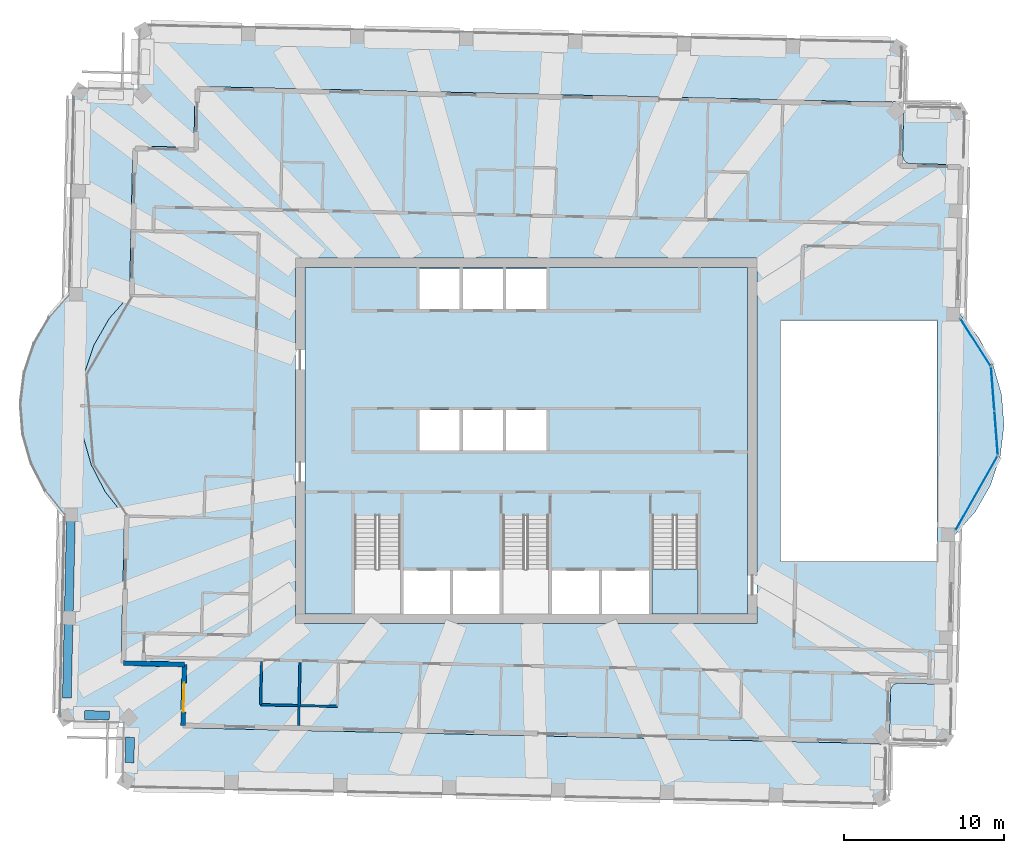
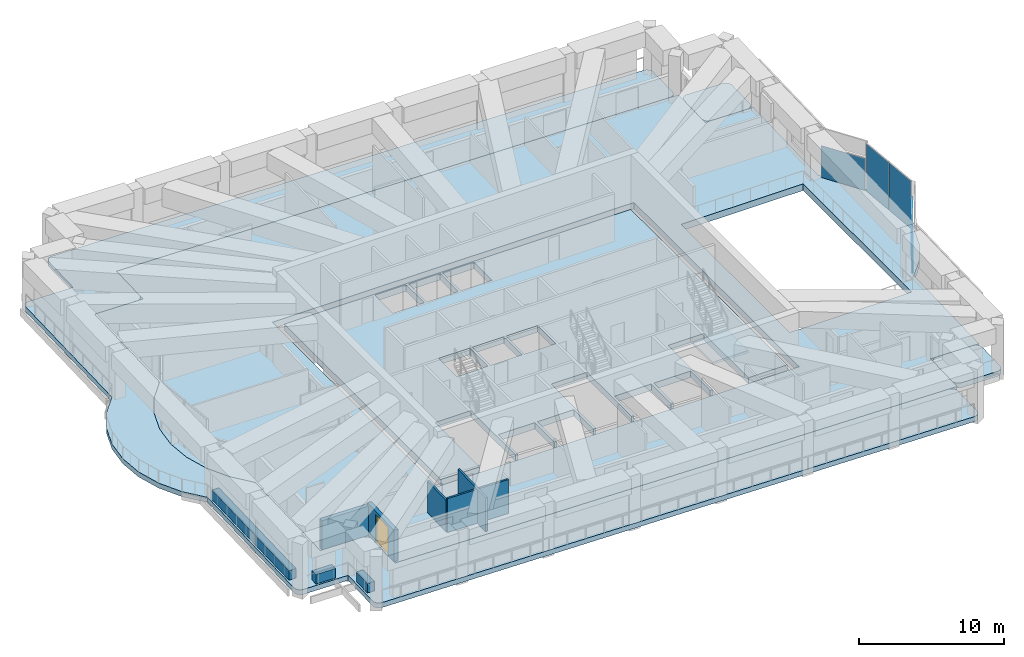
# One storey, part 6 of 17: 8 walls, 6 slabs, 4 plates, 1 door, 1 opening, 4 elements without a shape of their own.
"""IFC4 building model written with IfcOpenShell, lengths in metres."""

import ifcopenshell
import ifcopenshell.guid

model = None  # the IFC model being written
_history = None  # IfcOwnerHistory: only IFC2X3 demands one
_inside = {}  # id of a spatial element -> (the spatial element, [elements in it])
_under = {}  # id of a project, library or spatial element -> (it, [spatial elements below it])
_declared = {}  # id of a project -> (the project, [libraries it declares])
_typed = {}  # id of a type object -> (the type object, [elements of that type])
_made_of = {}  # id of a material, layer set ... -> (it, [elements and type objects made of it])


def new_model(schema):
    """Start an empty IFC model of exactly this schema.

    Asked for "IFC4X3", IfcOpenShell would pick the latest addendum, in which some entities
    have other attributes; the version numbers below select the first issue.
    IFC2X3 requires an IfcOwnerHistory on every rooted entity: one is made here for all.
    """
    global model, _history
    if schema == "IFC4X3":
        model = ifcopenshell.file(schema_version=(4, 3, 0, 0))
    else:
        model = ifcopenshell.file(schema=schema)
    _inside.clear()
    _under.clear()
    _declared.clear()
    _typed.clear()
    _made_of.clear()
    _history = None
    if model.schema == "IFC2X3":
        org = make("IfcOrganization", Name="unknown")
        user = make(
            "IfcPersonAndOrganization",
            ThePerson=make("IfcPerson", FamilyName="unknown"),
            TheOrganization=org,
        )
        app = make(
            "IfcApplication",
            ApplicationDeveloper=org,
            Version="unknown",
            ApplicationFullName="unknown",
            ApplicationIdentifier="unknown",
        )
        _history = make(
            "IfcOwnerHistory",
            OwningUser=user,
            OwningApplication=app,
            ChangeAction="ADDED",
            CreationDate=0,
        )
    return model


def make(cls, **values):
    """One entity of the class cls with the attributes given. An attribute that is None is left unset."""
    return model.create_entity(
        cls, **{name: value for name, value in values.items() if value is not None}
    )


def rooted(cls, **values):
    """An entity with a GlobalId (a new one), such as an element, a storey or a relation."""
    return make(cls, GlobalId=ifcopenshell.guid.new(), OwnerHistory=_history, **values)


def si_unit(unit_type, name, prefix=None):
    """IfcSIUnit, for example si_unit("LENGTHUNIT", "METRE", prefix="MILLI")."""
    return make("IfcSIUnit", UnitType=unit_type, Prefix=prefix, Name=name)


def assignment(units):
    """IfcUnitAssignment: the units of a project."""
    return None if units is None else make("IfcUnitAssignment", Units=units)


def point(xyz):
    """IfcCartesianPoint."""
    return None if xyz is None else make("IfcCartesianPoint", Coordinates=xyz)


def direction(xyz):
    """IfcDirection."""
    return None if xyz is None else make("IfcDirection", DirectionRatios=xyz)


def frame(location, z_axis=None, x_axis=None):
    """IfcAxis2Placement3D, a coordinate frame: its origin and axes. An axis left out is left unset."""
    return make(
        "IfcAxis2Placement3D",
        Location=point(location),
        Axis=direction(z_axis),
        RefDirection=direction(x_axis),
    )


def frame_2d(location, x_axis=None):
    """IfcAxis2Placement2D, a coordinate frame in the plane: its origin and x axis."""
    return make(
        "IfcAxis2Placement2D", Location=point(location), RefDirection=direction(x_axis)
    )


def origin():
    """The frame at (0, 0, 0) with its axes left unset."""
    return frame((0.0, 0.0, 0.0))


def origin_2d():
    """The frame at (0, 0) in the plane with its x axis left unset."""
    return frame_2d((0.0, 0.0))


def place(relative_to, where):
    """IfcLocalPlacement: puts the frame where relative to a parent placement (None: the world)."""
    return make(
        "IfcLocalPlacement", PlacementRelTo=relative_to, RelativePlacement=where
    )


def context(
    kind, dimensions, precision=None, world=None, true_north=None, identifier=None
):
    """IfcGeometricRepresentationContext, for example the 3D "Model" context."""
    return make(
        "IfcGeometricRepresentationContext",
        ContextIdentifier=identifier,
        ContextType=kind,
        CoordinateSpaceDimension=dimensions,
        Precision=precision,
        WorldCoordinateSystem=world,
        TrueNorth=true_north,
    )


def subcontext(parent, identifier, kind, view, scale=None):
    """IfcGeometricRepresentationSubContext, for example "Body" below "Model"."""
    return make(
        "IfcGeometricRepresentationSubContext",
        ContextIdentifier=identifier,
        ContextType=kind,
        ParentContext=parent,
        TargetScale=scale,
        TargetView=view,
    )


def project(units=None, contexts=None):
    """IfcProject with its units and contexts."""
    return rooted(
        "IfcProject",
        Name="project",
        RepresentationContexts=contexts,
        UnitsInContext=assignment(units),
    )


def spatial(cls, under=None, at=None, **own):
    """A site, building, storey or space (cls), placed at a placement, below another one or the project."""
    s = rooted(cls, ObjectPlacement=at, **own)
    if under is not None:
        _under.setdefault(under.id(), (under, []))[1].append(s)
    return s


def polyline(points):
    """IfcPolyline through the points."""
    return make("IfcPolyline", Points=[point(p) for p in points])


def profile(cls, at=None, kind="AREA", **sizes):
    """A parametric profile (cls). Its sizes go by their IFC names, for example OverallWidth=200.0."""
    return make(cls, ProfileType=kind, Position=at, **sizes)


def rectangle(**sizes):
    """IfcRectangleProfileDef."""
    return profile("IfcRectangleProfileDef", **sizes)


def outline(outer, holes=None, kind="AREA"):
    """IfcArbitraryClosedProfileDef: a profile drawn as a closed curve; with holes, ...WithVoids."""
    if holes is None:
        return make("IfcArbitraryClosedProfileDef", ProfileType=kind, OuterCurve=outer)
    return make(
        "IfcArbitraryProfileDefWithVoids",
        ProfileType=kind,
        OuterCurve=outer,
        InnerCurves=holes,
    )


def extrude(swept, where, along, depth):
    """IfcExtrudedAreaSolid: the profile swept, set in the frame where, extruded along a direction by depth."""
    return make(
        "IfcExtrudedAreaSolid",
        SweptArea=swept,
        Position=where,
        ExtrudedDirection=direction(along),
        Depth=depth,
    )


def shape(context_of_items, identifier, shape_type, items):
    """IfcShapeRepresentation: the items that make up one representation, for example the "Body"."""
    return make(
        "IfcShapeRepresentation",
        ContextOfItems=context_of_items,
        RepresentationIdentifier=identifier,
        RepresentationType=shape_type,
        Items=items,
    )


def material(Name=None, Category=None):
    """IfcMaterial."""
    return make("IfcMaterial", Name=Name, Category=Category)


def layer(
    of_material, thickness, ventilated=None, Name=None, Category=None, Priority=None
):
    """IfcMaterialLayer: one layer of a wall or slab, of a material (None: an air gap)."""
    return make(
        "IfcMaterialLayer",
        Material=of_material,
        LayerThickness=thickness,
        IsVentilated=ventilated,
        Name=Name,
        Category=Category,
        Priority=Priority,
    )


def layer_set(layers, Name=None):
    """IfcMaterialLayerSet."""
    return make("IfcMaterialLayerSet", MaterialLayers=layers, LayerSetName=Name)


def made_of(thing, what):
    """Note that an element or type object is made of a material, layer set ...; save() writes the relation."""
    if what is not None:
        _made_of.setdefault(what.id(), (what, []))[1].append(thing)
    return thing


def type_object(cls, material=None, **own):
    """A type object (cls), such as IfcWallType, which elements share."""
    return made_of(rooted(cls, **own), material)


def element(
    cls,
    number,
    at=None,
    inside=None,
    cuts=None,
    type_object=None,
    material=None,
    context=None,
    identifier="Body",
    shape_type=None,
    held_by="IfcProductDefinitionShape",
    body=None,
    shapes=None,
    **own,
):
    """One element of the class cls, such as IfcWall. Its Tag is "e" and its number.

    at: its placement. inside: the storey or other place that contains it. cuts: it is an
    opening in that element (IfcRelVoidsElement). A single representation is given by context,
    identifier, shape_type and body (its items); several are given by shapes. held_by: the class
    of the entity that holds the representations. save() writes the other relations.
    """
    e = rooted(cls, Tag="e%d" % number, ObjectPlacement=at, **own)
    if body is not None:
        shapes = [shape(context, identifier, shape_type, body)]
    if shapes is not None:
        e.Representation = make(held_by, Representations=shapes)
    if inside is not None:
        _inside.setdefault(inside.id(), (inside, []))[1].append(e)
    if cuts is not None:
        rooted(
            "IfcRelVoidsElement", RelatingBuildingElement=cuts, RelatedOpeningElement=e
        )
    if type_object is not None:
        _typed.setdefault(type_object.id(), (type_object, []))[1].append(e)
    return made_of(e, material)


def fill(opening, filler):
    """IfcRelFillsElement: the door or window that sits in an opening."""
    return rooted(
        "IfcRelFillsElement",
        RelatingOpeningElement=opening,
        RelatedBuildingElement=filler,
    )


def aggregate(whole, parts):
    """IfcRelAggregates: a whole, such as a stair, and the parts it consists of."""
    return rooted("IfcRelAggregates", RelatingObject=whole, RelatedObjects=parts)


def save(model, path):
    """Write the relations noted so far, then the file.

    IfcRelAggregates (storeys below a building ...), IfcRelContainedInSpatialStructure (elements
    in a storey), IfcRelDefinesByType, IfcRelAssociatesMaterial and IfcRelDeclares: one each for
    every whole, place, type object, material and project.
    """
    for whole, parts in _under.values():
        aggregate(whole, parts)
    for where, things in _inside.values():
        rooted(
            "IfcRelContainedInSpatialStructure",
            RelatedElements=things,
            RelatingStructure=where,
        )
    for kind, things in _typed.values():
        rooted("IfcRelDefinesByType", RelatedObjects=things, RelatingType=kind)
    for what, things in _made_of.values():
        rooted("IfcRelAssociatesMaterial", RelatedObjects=things, RelatingMaterial=what)
    for by, libraries in _declared.values():
        rooted("IfcRelDeclares", RelatingContext=by, RelatedDefinitions=libraries)
    model.write(path)


model = new_model("IFC4")

# Units and contexts
model_context = context("Model", 3, precision=1e-05, world=origin(), true_north=direction((0.0, 1.0)))
body_context = subcontext(model_context, "Body", "Model", "MODEL_VIEW")
ifc_project = project(units=[si_unit("LENGTHUNIT", "METRE"), si_unit("AREAUNIT", "SQUARE_METRE"), si_unit("VOLUMEUNIT", "CUBIC_METRE"), si_unit("PLANEANGLEUNIT", "RADIAN"), si_unit("MASSUNIT", "GRAM", prefix="KILO")], contexts=[model_context])

# Site, building, storey
site_placement = place(None, origin())
site = spatial("IfcSite", under=ifc_project, at=site_placement, CompositionType="ELEMENT")
building_placement = place(site_placement, origin())
building = spatial("IfcBuilding", under=site, at=building_placement, Name="Mangrove Gate Tower", CompositionType="ELEMENT")
storey_placement = place(building_placement, frame((0.0, 0.0, 337.89990234375)))
storey = spatial("IfcBuildingStorey", under=building, at=storey_placement, Name="L86", CompositionType="ELEMENT", Elevation=337.89990234375)

# Slab
ifc_material_1 = material(Name="Concrete C40/50", Category="concrete")
ifc_layer_1 = layer(ifc_material_1, 0.550048828125)
ifc_layer_set_1 = layer_set([ifc_layer_1], Name="Core floor slab 550 C40/50")
slab_type_1 = type_object("IfcSlabType", Name="Core floor slab 550 C40/50", PredefinedType="FLOOR", material=ifc_layer_set_1)
slab_1_placement = place(storey_placement, frame((0.0, 0.0, -0.5498046875)))
element("IfcSlab", 1, at=slab_1_placement, inside=storey, type_object=slab_type_1, Name="SLAB-L86-CORE-1", PredefinedType="FLOOR", context=body_context, shape_type="SweptSolid", body=[
    extrude(outline(polyline([(-13.800048828125, -10.800048828125), (-13.800048828125, 10.800048828125), (13.800048828125, 10.800048828125), (13.800048828125, -10.800048828125), (10.699951171875, -10.800048828125), (10.699951171875, -4.653076171875), (7.85009765625, -4.653076171875), (7.85009765625, -10.800048828125), (7.64990234375, -10.800048828125), (7.64990234375, -8.10009765625), (4.72509765625, -8.10009765625), (4.72509765625, -10.800048828125), (4.52490234375, -10.800048828125), (4.52490234375, -8.10009765625), (1.60009765625, -8.10009765625), (1.60009765625, -10.800048828125), (1.39990234375, -10.800048828125), (1.39990234375, -4.653076171875), (-1.449951171875, -4.653076171875), (-1.449951171875, -10.800048828125), (-1.64990234375, -10.800048828125), (-1.64990234375, -8.10009765625), (-4.550048828125, -8.10009765625), (-4.550048828125, -10.800048828125), (-4.75, -10.800048828125), (-4.75, -8.10009765625), (-7.64990234375, -8.10009765625), (-7.64990234375, -10.800048828125), (-7.85009765625, -10.800048828125), (-7.85009765625, -4.653076171875), (-10.699951171875, -4.653076171875), (-10.699951171875, -10.800048828125), (-13.800048828125, -10.800048828125)]), holes=[polyline([(-4.14990234375, 1.89990234375), (-6.64990234375, 1.89990234375), (-6.64990234375, -0.60009765625), (-4.14990234375, -0.60009765625), (-4.14990234375, 1.89990234375)]), polyline([(-1.449951171875, -0.60009765625), (-1.449951171875, 1.89990234375), (-3.949951171875, 1.89990234375), (-3.949951171875, -0.60009765625), (-1.449951171875, -0.60009765625)]), polyline([(-4.14990234375, 8.199951171875), (-4.14990234375, 10.699951171875), (-6.64990234375, 10.699951171875), (-6.64990234375, 8.199951171875), (-4.14990234375, 8.199951171875)]), polyline([(-1.449951171875, 10.699951171875), (-3.949951171875, 10.699951171875), (-3.949951171875, 8.199951171875), (-1.449951171875, 8.199951171875), (-1.449951171875, 10.699951171875)]), polyline([(1.25, -0.60009765625), (1.25, 1.89990234375), (-1.25, 1.89990234375), (-1.25, -0.60009765625), (1.25, -0.60009765625)]), polyline([(1.25, 8.199951171875), (1.25, 10.699951171875), (-1.25, 10.699951171875), (-1.25, 8.199951171875), (1.25, 8.199951171875)])]), origin(), (0.0, 0.0, 1.0), 0.5498046875),
])

# Stair, slab
ifc_material_2 = material(Name="Concrete C40/50", Category="concrete")
stair_type = type_object("IfcStairType", Name="Core stair 1350", PredefinedType="HALF_TURN_STAIR", material=ifc_material_2)
stair_placement = place(storey_placement, origin())
stair = element("IfcStair", 2, at=stair_placement, inside=storey, type_object=stair_type, Name="L86 Stair 3", PredefinedType="HALF_TURN_STAIR")
ifc_material_3 = material(Name="Concrete C40/50", Category="concrete")
ifc_layer_2 = layer(ifc_material_3, 0.199951171875)
ifc_layer_set_2 = layer_set([ifc_layer_2], Name="Core stair landing 200")
slab_type_2 = type_object("IfcSlabType", Name="Core stair landing 200", PredefinedType="LANDING", material=ifc_layer_set_2)
slab_2_placement = place(storey_placement, frame((0.0, 0.0, 2.10009765625)))
slab_2 = element("IfcSlab", 3, at=slab_2_placement, type_object=slab_type_2, Name="ST3 landing 1", PredefinedType="LANDING", context=body_context, shape_type="SweptSolid", body=[
    extrude(outline(polyline([(7.85009765625, -8.010009765625), (7.85009765625, -10.800048828125), (10.699951171875, -10.800048828125), (10.699951171875, -8.010009765625), (7.85009765625, -8.010009765625)])), origin(), (0.0, 0.0, 1.0), 0.199951171875),
])
aggregate(stair, [slab_2])

# Curtain wall, plate
ifc_material_4 = material(Name="Aluminium and glass curtain wall", Category="aluminium")
curtain_wall_type = type_object("IfcCurtainWallType", Name="Crown garden glazing wall", PredefinedType="NOTDEFINED", material=ifc_material_4)
curtain_wall_1_placement = place(storey_placement, origin())
curtain_wall_1 = element("IfcCurtainWall", 4, at=curtain_wall_1_placement, inside=storey, type_object=curtain_wall_type, Name="Crown garden glazing E1f1", PredefinedType="NOTDEFINED")
ifc_material_5 = material(Name="Laminated low-e glass", Category="glass")
ifc_layer_3 = layer(ifc_material_5, 0.02587890625)
ifc_layer_set_3 = layer_set([ifc_layer_3], Name="Crown garden glazing panel 26")
plate_type = type_object("IfcPlateType", Name="Crown garden glazing panel 26", PredefinedType="CURTAIN_PANEL", material=ifc_layer_set_3)
plate_1_placement = place(storey_placement, frame((28.081787109375, -3.2763671875, 0.000244140625), z_axis=(0.0, 0.0, 1.0), x_axis=(0.492565947646, 0.870275121568, 0.0)))
plate_1 = element("IfcPlate", 5, at=plate_1_placement, type_object=plate_type, Name="CWC panel 1.1", PredefinedType="CURTAIN_PANEL", context=body_context, shape_type="SweptSolid", body=[
    extrude(rectangle(XDim=5.277587890625, YDim=0.02587890625, at=origin_2d()), origin(), (0.0, 0.0, 1.0), 2.68994140625),
])
aggregate(curtain_wall_1, [plate_1])

# Curtain wall, plates
curtain_wall_2_placement = place(storey_placement, origin())
curtain_wall_2 = element("IfcCurtainWall", 6, at=curtain_wall_2_placement, inside=storey, type_object=curtain_wall_type, Name="Crown garden glazing E1f2", PredefinedType="NOTDEFINED")
plate_2_placement = place(storey_placement, frame((29.302734375, 0.4765625, 0.0), z_axis=(0.0, 0.0, 1.0), x_axis=(-0.077023348386, 0.997029289341, 0.0)))
plate_2 = element("IfcPlate", 7, at=plate_2_placement, type_object=plate_type, Name="CWC panel 1.1", PredefinedType="CURTAIN_PANEL", context=body_context, shape_type="SweptSolid", body=[
    extrude(rectangle(XDim=2.69677734375, YDim=0.02587890625, at=origin_2d()), origin(), (0.0, 0.0, 1.0), 3.989990234375),
])
plate_3_placement = place(storey_placement, frame((29.09033203125, 3.22509765625, 0.0), z_axis=(0.0, 0.0, 1.0), x_axis=(-0.077023348386, 0.997029289341, 0.0)))
plate_3 = element("IfcPlate", 8, at=plate_3_placement, type_object=plate_type, Name="CWC panel 2.1", PredefinedType="CURTAIN_PANEL", context=body_context, shape_type="SweptSolid", body=[
    extrude(rectangle(XDim=2.69677734375, YDim=0.02587890625, at=origin_2d()), origin(), (0.0, 0.0, 1.0), 3.989990234375),
])
aggregate(curtain_wall_2, [plate_2, plate_3])

# Curtain wall, plate
curtain_wall_3_placement = place(storey_placement, origin())
curtain_wall_3 = element("IfcCurtainWall", 9, at=curtain_wall_3_placement, inside=storey, type_object=curtain_wall_type, Name="Crown garden glazing E1f3", PredefinedType="NOTDEFINED")
plate_4_placement = place(storey_placement, frame((28.017578125, 6.13037109375, 0.000244140625), z_axis=(0.0, 0.0, 1.0), x_axis=(-0.540496498899, 0.841346263246, 0.0)))
plate_4 = element("IfcPlate", 10, at=plate_4_placement, type_object=plate_type, Name="CWC panel 1.1", PredefinedType="CURTAIN_PANEL", context=body_context, shape_type="SweptSolid", body=[
    extrude(rectangle(XDim=3.447998046875, YDim=0.02587890625, at=origin_2d()), origin(), (0.0, 0.0, 1.0), 2.68994140625),
])
aggregate(curtain_wall_3, [plate_4])

# Slabs
ifc_material_6 = material(Name="Concrete C40/50", Category="concrete")
ifc_layer_4 = layer(ifc_material_6, 0.550048828125)
ifc_layer_set_4 = layer_set([ifc_layer_4], Name="Floor slab 550 C40/50")
slab_type_3 = type_object("IfcSlabType", Name="Floor slab 550 C40/50", PredefinedType="FLOOR", material=ifc_layer_set_4)
slab_3_placement = place(storey_placement, frame((0.0, 0.0, -0.5498046875)))
element("IfcSlab", 11, at=slab_3_placement, inside=storey, type_object=slab_type_3, Name="Floor slab L86", PredefinedType="FLOOR", context=body_context, shape_type="SweptSolid", body=[
    extrude(outline(polyline([(-21.548828125, -17.90234375), (22.639892578125, -18.9052734375), (22.72607421875, -15.106201171875), (26.525146484375, -15.1923828125), (26.736572265625, -5.8701171875), (27.999755859375, -4.43359375), (28.952880859375, -2.775146484375), (29.558349609375, -0.9609375), (29.7919921875, 0.9375), (29.64453125, 2.8447265625), (29.1220703125, 4.684814453125), (28.2451171875, 6.384521484375), (27.048583984375, 7.876953125), (27.26025390625, 17.19921875), (23.461181640625, 17.285400390625), (23.54736328125, 21.08447265625), (-20.64111328125, 22.087158203125), (-20.7275390625, 18.288330078125), (-24.5263671875, 18.37451171875), (-24.738037109375, 9.05224609375), (-26.0009765625, 7.61572265625), (-26.9541015625, 5.957275390625), (-27.5595703125, 4.142822265625), (-27.793212890625, 2.244384765625), (-27.64599609375, 0.33740234375), (-27.12353515625, -1.502685546875), (-26.24658203125, -3.20263671875), (-25.050048828125, -4.69482421875), (-25.261474609375, -14.017333984375), (-21.46240234375, -14.103515625), (-21.548828125, -17.90234375)]), holes=[polyline([(15.89990234375, 7.5), (25.623046875, 7.5), (25.623046875, -7.5), (15.89990234375, -7.5), (15.89990234375, 7.5)]), polyline([(-14.39990234375, -11.39990234375), (-14.39990234375, 11.39990234375), (14.39990234375, 11.39990234375), (14.39990234375, -11.39990234375), (-14.39990234375, -11.39990234375)])]), origin(), (0.0, 0.0, 1.0), 0.5498046875),
])
ifc_material_7 = material(Name="Granite", Category="masonry")
ifc_layer_5 = layer(ifc_material_7, 0.030029296875, Name="Granite paving")
ifc_material_8 = material(Name="Cement sand screed")
ifc_layer_6 = layer(ifc_material_8, 0.0400390625, Name="Bedding screed")
ifc_material_9 = material(Name="Bituminous waterproofing membrane")
ifc_layer_7 = layer(ifc_material_9, 0.0048828125, Name="Waterproofing")
ifc_material_10 = material(Name="Extruded polystyrene insulation")
ifc_layer_8 = layer(ifc_material_10, 0.0400390625, Name="Insulation")
ifc_material_11 = material(Name="Concrete C40/50", Category="concrete")
ifc_layer_9 = layer(ifc_material_11, 0.304931640625, Name="Terrace structural slab")
ifc_layer_set_5 = layer_set([ifc_layer_5, ifc_layer_6, ifc_layer_7, ifc_layer_8, ifc_layer_9], Name="Terrace slab C40/50")
slab_type_4 = type_object("IfcSlabType", Name="Terrace slab C40/50", PredefinedType="FLOOR", material=ifc_layer_set_5)
slab_4_placement = place(storey_placement, frame((0.0, 0.0, -0.419921875)))
element("IfcSlab", 12, at=slab_4_placement, inside=storey, type_object=slab_type_4, Name="TERRACE L86 1", PredefinedType="FLOOR", context=body_context, shape_type="SweptSolid", body=[
    extrude(outline(polyline([(27.27197265625, 17.698974609375), (27.3291015625, 20.248046875), (27.327880859375, 20.298095703125), (27.322021484375, 20.345947265625), (27.31103515625, 20.39404296875), (27.2958984375, 20.44091796875), (27.27587890625, 20.485107421875), (27.2509765625, 20.528076171875), (27.222900390625, 20.568115234375), (27.19091796875, 20.60498046875), (27.155029296875, 20.638916015625), (27.116943359375, 20.6689453125), (27.074951171875, 20.695068359375), (27.031005859375, 20.717041015625), (26.985107421875, 20.735107421875), (26.93798828125, 20.748046875), (26.889892578125, 20.756103515625), (26.841064453125, 20.760009765625), (24.0419921875, 20.822998046875), (23.992919921875, 20.822021484375), (23.944091796875, 20.81591796875), (23.89599609375, 20.804931640625), (23.84912109375, 20.7890625), (23.804931640625, 20.77001953125), (23.761962890625, 20.7451171875), (23.721923828125, 20.717041015625), (23.68505859375, 20.68505859375), (23.65087890625, 20.64892578125), (23.62109375, 20.610107421875), (23.594970703125, 20.569091796875), (23.572998046875, 20.52490234375), (23.554931640625, 20.47900390625), (23.5419921875, 20.431884765625), (23.533935546875, 20.384033203125), (23.530029296875, 20.3349609375), (23.472900390625, 17.784912109375), (23.47412109375, 17.736083984375), (23.47998046875, 17.68798828125), (23.490966796875, 17.639892578125), (23.506103515625, 17.593017578125), (23.52587890625, 17.548095703125), (23.550048828125, 17.506103515625), (23.5791015625, 17.466064453125), (23.611083984375, 17.428955078125), (23.64697265625, 17.39501953125), (23.68505859375, 17.364990234375), (23.72705078125, 17.337890625), (23.77099609375, 17.31689453125), (23.81591796875, 17.299072265625), (23.864013671875, 17.285888671875), (23.912109375, 17.278076171875), (23.9609375, 17.27392578125), (26.760009765625, 17.2109375), (26.80908203125, 17.2119140625), (26.85791015625, 17.218017578125), (26.906005859375, 17.22900390625), (26.951904296875, 17.243896484375), (26.9970703125, 17.263916015625), (27.0400390625, 17.2890625), (27.080078125, 17.31689453125), (27.116943359375, 17.34912109375), (27.15087890625, 17.385009765625), (27.180908203125, 17.423095703125), (27.20703125, 17.465087890625), (27.22900390625, 17.509033203125), (27.2470703125, 17.553955078125), (27.260009765625, 17.60205078125), (27.26806640625, 17.64990234375), (27.27197265625, 17.698974609375)])), origin(), (0.0, 0.0, 1.0), 0.419921875),
])
slab_5_placement = place(storey_placement, frame((0.0, 0.0, -0.419921875)))
element("IfcSlab", 13, at=slab_5_placement, inside=storey, type_object=slab_type_4, Name="TERRACE L86 2", PredefinedType="FLOOR", context=body_context, shape_type="SweptSolid", body=[
    extrude(outline(polyline([(26.4560546875, -18.241943359375), (26.513916015625, -15.69189453125), (26.511962890625, -15.64306640625), (26.506103515625, -15.594970703125), (26.49609375, -15.547119140625), (26.47998046875, -15.5), (26.4599609375, -15.455078125), (26.43603515625, -15.4130859375), (26.407958984375, -15.373046875), (26.375, -15.3359375), (26.340087890625, -15.302001953125), (26.301025390625, -15.27197265625), (26.260009765625, -15.2451171875), (26.216064453125, -15.222900390625), (26.169921875, -15.2060546875), (26.123046875, -15.193115234375), (26.073974609375, -15.18505859375), (26.02490234375, -15.180908203125), (23.22607421875, -15.117919921875), (23.177001953125, -15.118896484375), (23.1279296875, -15.125), (23.080078125, -15.135986328125), (23.033935546875, -15.15087890625), (22.989013671875, -15.1708984375), (22.946044921875, -15.195068359375), (22.906005859375, -15.22412109375), (22.868896484375, -15.256103515625), (22.8349609375, -15.2919921875), (22.804931640625, -15.330078125), (22.779052734375, -15.3720703125), (22.757080078125, -15.416015625), (22.739990234375, -15.4609375), (22.72705078125, -15.509033203125), (22.718017578125, -15.556884765625), (22.715087890625, -15.60595703125), (22.656982421875, -18.155029296875), (22.657958984375, -18.2041015625), (22.6640625, -18.2529296875), (22.675048828125, -18.301025390625), (22.69091796875, -18.347900390625), (22.7109375, -18.39208984375), (22.735107421875, -18.43505859375), (22.762939453125, -18.47509765625), (22.794921875, -18.511962890625), (22.8310546875, -18.5458984375), (22.8701171875, -18.575927734375), (22.910888671875, -18.60205078125), (22.955078125, -18.6240234375), (23.0009765625, -18.64208984375), (23.048095703125, -18.655029296875), (23.095947265625, -18.6630859375), (23.14501953125, -18.6669921875), (25.945068359375, -18.72998046875), (25.993896484375, -18.72900390625), (26.0419921875, -18.722900390625), (26.090087890625, -18.7119140625), (26.136962890625, -18.696044921875), (26.181884765625, -18.676025390625), (26.22412109375, -18.652099609375), (26.263916015625, -18.6240234375), (26.302001953125, -18.592041015625), (26.3349609375, -18.555908203125), (26.364990234375, -18.51708984375), (26.39208984375, -18.47607421875), (26.4140625, -18.431884765625), (26.430908203125, -18.385986328125), (26.444091796875, -18.339111328125), (26.451904296875, -18.291015625), (26.4560546875, -18.241943359375)])), origin(), (0.0, 0.0, 1.0), 0.419921875),
])
slab_6_placement = place(storey_placement, frame((0.0, 0.0, -0.419921875)))
element("IfcSlab", 14, at=slab_6_placement, inside=storey, type_object=slab_type_4, Name="TERRACE L86 3", PredefinedType="FLOOR", context=body_context, shape_type="SweptSolid", body=[
    extrude(outline(polyline([(-28.800048828125, -4.610107421875), (-28.799072265625, -4.6220703125), (-29.080078125, -16.98095703125), (-29.077880859375, -17.030029296875), (-29.072021484375, -17.0791015625), (-29.06201171875, -17.126953125), (-29.0458984375, -17.174072265625), (-29.02587890625, -17.218017578125), (-29.001953125, -17.260986328125), (-28.972900390625, -17.301025390625), (-28.94091796875, -17.337890625), (-28.906005859375, -17.3720703125), (-28.866943359375, -17.402099609375), (-28.825927734375, -17.427978515625), (-28.781982421875, -17.449951171875), (-28.736083984375, -17.468017578125), (-28.68896484375, -17.48095703125), (-28.639892578125, -17.489013671875), (-28.591064453125, -17.492919921875), (-25.10400390625, -17.572021484375), (-25.093017578125, -17.572998046875), (-25.092041015625, -17.583984375), (-25.172119140625, -21.071044921875), (-25.169921875, -21.1201171875), (-25.1640625, -21.1689453125), (-25.153076171875, -21.217041015625), (-25.137939453125, -21.262939453125), (-25.117919921875, -21.30810546875), (-25.093994140625, -21.35107421875), (-25.06494140625, -21.39111328125), (-25.032958984375, -21.427978515625), (-24.998046875, -21.4619140625), (-24.958984375, -21.491943359375), (-24.9169921875, -21.51806640625), (-24.873046875, -21.5400390625), (-24.827880859375, -21.556884765625), (-24.780029296875, -21.570068359375), (-24.73193359375, -21.5791015625), (-24.68310546875, -21.58203125), (21.85498046875, -22.637939453125), (21.904052734375, -22.636962890625), (21.952880859375, -22.631103515625), (22.0009765625, -22.6201171875), (22.047119140625, -22.60498046875), (22.092041015625, -22.5849609375), (22.135009765625, -22.56005859375), (22.175048828125, -22.531982421875), (22.2119140625, -22.5), (22.24609375, -22.464111328125), (22.27587890625, -22.426025390625), (22.302001953125, -22.384033203125), (22.323974609375, -22.340087890625), (22.341064453125, -22.2939453125), (22.35400390625, -22.2470703125), (22.363037109375, -22.198974609375), (22.365966796875, -22.14990234375), (22.428955078125, -19.40087890625), (22.427001953125, -19.35205078125), (22.4208984375, -19.302978515625), (22.409912109375, -19.2548828125), (22.39501953125, -19.2080078125), (22.375, -19.1640625), (22.35107421875, -19.12109375), (22.322021484375, -19.0810546875), (22.2900390625, -19.0439453125), (22.2548828125, -19.010009765625), (22.216064453125, -18.97998046875), (22.174072265625, -18.9541015625), (22.131103515625, -18.931884765625), (22.0849609375, -18.9140625), (22.037109375, -18.90087890625), (21.989013671875, -18.89306640625), (21.93994140625, -18.888916015625), (-21.535888671875, -17.903076171875), (-21.548095703125, -17.902099609375), (-21.548095703125, -17.889892578125), (-21.47412109375, -14.60302734375), (-21.47509765625, -14.553955078125), (-21.48095703125, -14.506103515625), (-21.491943359375, -14.4580078125), (-21.508056640625, -14.410888671875), (-21.528076171875, -14.365966796875), (-21.552001953125, -14.323974609375), (-21.580078125, -14.283935546875), (-21.612060546875, -14.2470703125), (-21.64794921875, -14.212890625), (-21.68701171875, -14.18310546875), (-21.72802734375, -14.156005859375), (-21.77197265625, -14.134033203125), (-21.818115234375, -14.116943359375), (-21.864990234375, -14.10400390625), (-21.9130859375, -14.095947265625), (-21.9619140625, -14.092041015625), (-25.2490234375, -14.01708984375), (-25.260986328125, -14.01708984375), (-25.260986328125, -14.0048828125), (-25.053955078125, -4.876953125), (-25.054931640625, -4.826904296875), (-25.06201171875, -4.778076171875), (-25.072998046875, -4.72900390625), (-25.089111328125, -4.681884765625), (-25.110107421875, -4.635986328125), (-25.135009765625, -4.593017578125), (-25.1640625, -4.552978515625), (-26.239013671875, -3.2119140625), (-26.24609375, -3.201904296875), (-26.251953125, -3.19189453125), (-27.117919921875, -1.513916015625), (-27.123046875, -1.501953125), (-27.126953125, -1.490966796875), (-27.64306640625, 0.324951171875), (-27.64501953125, 0.3369140625), (-27.64697265625, 0.35009765625), (-27.7919921875, 2.23193359375), (-27.79296875, 2.243896484375), (-27.7919921875, 2.257080078125), (-27.56103515625, 4.1298828125), (-27.55908203125, 4.14306640625), (-27.555908203125, 4.155029296875), (-26.9580078125, 5.945068359375), (-26.9541015625, 5.95703125), (-26.947998046875, 5.968017578125), (-26.007080078125, 7.60498046875), (-26.0009765625, 7.614990234375), (-25.992919921875, 7.625), (-24.85791015625, 8.9150390625), (-24.826904296875, 8.9541015625), (-24.800048828125, 8.99609375), (-24.778076171875, 9.041015625), (-24.759033203125, 9.0869140625), (-24.74609375, 9.135009765625), (-24.738037109375, 9.18408203125), (-24.73388671875, 9.23388671875), (-24.527099609375, 18.362060546875), (-24.52587890625, 18.3740234375), (-24.513916015625, 18.3740234375), (-21.22705078125, 18.300048828125), (-21.177978515625, 18.301025390625), (-21.1298828125, 18.306884765625), (-21.08203125, 18.318115234375), (-21.034912109375, 18.3330078125), (-20.989990234375, 18.35302734375), (-20.947998046875, 18.3779296875), (-20.907958984375, 18.406005859375), (-20.87109375, 18.43798828125), (-20.8369140625, 18.47412109375), (-20.806884765625, 18.511962890625), (-20.780029296875, 18.553955078125), (-20.758056640625, 18.597900390625), (-20.740966796875, 18.64306640625), (-20.72802734375, 18.69091796875), (-20.719970703125, 18.739013671875), (-20.716064453125, 18.7880859375), (-20.64208984375, 22.074951171875), (-20.64111328125, 22.0869140625), (-20.62890625, 22.0869140625), (22.847900390625, 21.10009765625), (22.89697265625, 21.10205078125), (22.945068359375, 21.10791015625), (22.992919921875, 21.118896484375), (23.0400390625, 21.134033203125), (23.0849609375, 21.154052734375), (23.126953125, 21.177978515625), (23.1669921875, 21.20703125), (23.2041015625, 21.239013671875), (23.238037109375, 21.27392578125), (23.26806640625, 21.31298828125), (23.2939453125, 21.35498046875), (23.31591796875, 21.39794921875), (23.333984375, 21.444091796875), (23.346923828125, 21.491943359375), (23.35498046875, 21.5400390625), (23.35888671875, 21.589111328125), (23.4208984375, 24.337890625), (23.419921875, 24.386962890625), (23.4140625, 24.43603515625), (23.403076171875, 24.48388671875), (23.386962890625, 24.530029296875), (23.366943359375, 24.574951171875), (23.343017578125, 24.617919921875), (23.31494140625, 24.657958984375), (23.282958984375, 24.695068359375), (23.2470703125, 24.72900390625), (23.2080078125, 24.759033203125), (23.1669921875, 24.784912109375), (23.123046875, 24.806884765625), (23.076904296875, 24.824951171875), (23.030029296875, 24.837890625), (22.98193359375, 24.845947265625), (22.93310546875, 24.84912109375), (-23.60498046875, 25.905029296875), (-23.654052734375, 25.904052734375), (-23.702880859375, 25.89794921875), (-23.7509765625, 25.886962890625), (-23.798095703125, 25.8720703125), (-23.842041015625, 25.85205078125), (-23.885009765625, 25.827880859375), (-23.925048828125, 25.799072265625), (-23.9619140625, 25.76708984375), (-23.99609375, 25.73095703125), (-24.02587890625, 25.693115234375), (-24.052001953125, 25.65087890625), (-24.073974609375, 25.60693359375), (-24.092041015625, 25.56201171875), (-24.10498046875, 25.513916015625), (-24.113037109375, 25.466064453125), (-24.116943359375, 25.4169921875), (-24.196044921875, 21.929931640625), (-24.197021484375, 21.91796875), (-24.2080078125, 21.91796875), (-27.695068359375, 21.9970703125), (-27.743896484375, 21.99609375), (-27.79296875, 21.989990234375), (-27.841064453125, 21.97900390625), (-27.886962890625, 21.964111328125), (-27.931884765625, 21.944091796875), (-27.97509765625, 21.9189453125), (-28.014892578125, 21.89111328125), (-28.052001953125, 21.85888671875), (-28.0859375, 21.822998046875), (-28.115966796875, 21.784912109375), (-28.14208984375, 21.742919921875), (-28.1640625, 21.698974609375), (-28.180908203125, 21.653076171875), (-28.194091796875, 21.60595703125), (-28.202880859375, 21.55810546875), (-28.2060546875, 21.509033203125), (-28.487060546875, 9.14990234375), (-28.488037109375, 9.136962890625), (-28.4951171875, 9.1279296875), (-29.717041015625, 7.738037109375), (-29.748046875, 7.698974609375), (-29.77490234375, 7.656982421875), (-30.677978515625, 6.0859375), (-30.700927734375, 6.041015625), (-30.718994140625, 5.9951171875), (-31.29296875, 4.27490234375), (-31.305908203125, 4.22705078125), (-31.31494140625, 4.177978515625), (-31.535888671875, 2.37890625), (-31.5400390625, 2.3291015625), (-31.5380859375, 2.280029296875), (-31.39892578125, 0.471923828125), (-31.39306640625, 0.423095703125), (-31.381103515625, 0.3740234375), (-30.885986328125, -1.368896484375), (-30.8701171875, -1.4169921875), (-30.85009765625, -1.4619140625), (-30.01904296875, -3.072998046875), (-29.992919921875, -3.115966796875), (-29.964111328125, -3.156982421875), (-28.806884765625, -4.60009765625), (-28.800048828125, -4.610107421875)])), origin(), (0.0, 0.0, 1.0), 0.419921875),
])

# Wall
ifc_material_12 = material(Name="Limestone", Category="masonry")
ifc_layer_10 = layer(ifc_material_12, 0.0400390625, Name="Limestone cladding")
ifc_material_13 = material(Name="Ventilated air gap")
ifc_layer_11 = layer(ifc_material_13, 0.0400390625, Name="Ventilated cavity")
ifc_material_14 = material(Name="Mineral wool insulation")
ifc_layer_12 = layer(ifc_material_14, 0.06005859375, Name="Insulation")
ifc_material_15 = material(Name="Breather membrane")
ifc_layer_13 = layer(ifc_material_15, 0.001953125, Name="Breather membrane")
ifc_material_16 = material(Name="Concrete C20/25 blockwork", Category="masonry")
ifc_layer_14 = layer(ifc_material_16, 0.14990234375, Name="Blockwork backing wall")
ifc_material_17 = material(Name="Gypsum plaster")
ifc_layer_15 = layer(ifc_material_17, 0.008056640625, Name="Internal plaster")
ifc_layer_set_6 = layer_set([ifc_layer_10, ifc_layer_11, ifc_layer_12, ifc_layer_13, ifc_layer_14, ifc_layer_15], Name="External wall 300 limestone cladding")
wall_type_1 = type_object("IfcWallType", Name="External wall 300 limestone cladding", PredefinedType="SOLIDWALL", material=ifc_layer_set_6)
wall_1_placement = place(storey_placement, frame((-25.10791015625, -13.87109375, 0.0), z_axis=(0.0, 0.0, 1.0), x_axis=(0.999744218285, -0.022616321648, 0.0)))
element("IfcWall", 15, at=wall_1_placement, inside=storey, type_object=wall_type_1, Name="WALL-L86-S11", PredefinedType="SOLIDWALL", context=body_context, shape_type="SweptSolid", body=[
    extrude(rectangle(XDim=3.7998046875, YDim=0.300048828125, at=frame_2d((1.89990234375, 0.0))), origin(), (0.0, 0.0, 1.0), 2.4501953125),
])

# Wall, opening, door
wall_2_placement = place(storey_placement, frame((-21.30908203125, -13.95703125, 0.0), z_axis=(0.0, 0.0, 1.0), x_axis=(-0.022614868993, -0.999744251146, 0.0)))
wall_2 = element("IfcWall", 16, at=wall_2_placement, inside=storey, type_object=wall_type_1, Name="WALL-L86-W12", PredefinedType="SOLIDWALL", context=body_context, shape_type="SweptSolid", body=[
    extrude(rectangle(XDim=3.800048828125, YDim=0.300048828125, at=frame_2d((1.89990234375, 0.0))), origin(), (0.0, 0.0, 1.0), 2.650146484375),
])
opening_placement = place(wall_2_placement, frame((1.14990234375, 0.0, 0.0)))
opening = element("IfcOpeningElement", 17, at=opening_placement, cuts=wall_2, Name="Opening TD1", PredefinedType="OPENING", context=body_context, shape_type="SweptSolid", body=[
    extrude(rectangle(XDim=1.800048828125, YDim=2.39990234375, at=frame_2d((0.89990234375, 1.199951171875))), frame((0.0, 0.159912109375, 0.0), z_axis=(0.0, -1.0, 0.0), x_axis=(1.0, 0.0, 0.0)), (0.0, 0.0, 1.0), 0.320068359375),
])
ifc_material_18 = material(Name="Aluminium frame with laminated clear glass", Category="aluminium")
door_type = type_object("IfcDoorType", Name="Terrace door 1800x2400", OperationType="DOUBLE_DOOR_SINGLE_SWING", PredefinedType="DOOR", material=ifc_material_18)
door_placement = place(opening_placement, origin())
door = element("IfcDoor", 18, at=door_placement, inside=storey, type_object=door_type, Name="DOOR-L86-W12-1", OperationType="DOUBLE_DOOR_SINGLE_SWING", OverallHeight=2.39990234375, OverallWidth=1.800048828125, PredefinedType="DOOR", context=body_context, shape_type="SweptSolid", body=[
    extrude(rectangle(XDim=1.800048828125, YDim=2.39990234375, at=frame_2d((0.89990234375, 1.199951171875))), frame((0.0, 0.02490234375, 0.0), z_axis=(0.0, -1.0, 0.0), x_axis=(1.0, 0.0, 0.0)), (0.0, 0.0, 1.0), 0.050048828125),
])
fill(opening, door)

# Walls
ifc_material_19 = material(Name="Gypsum board on steel stud, EI 60", Category="steel")
ifc_layer_16 = layer(ifc_material_19, 0.14990234375)
ifc_layer_set_7 = layer_set([ifc_layer_16], Name="Party wall 150 EI 60")
wall_type_2 = type_object("IfcWallType", Name="Party wall 150 EI 60", PredefinedType="PARTITIONING", material=ifc_layer_set_7)
wall_3_placement = place(storey_placement, frame((-14.194091796875, -17.76904296875, 0.0), z_axis=(0.0, 0.0, 1.0), x_axis=(0.022807049009, 0.999739885428, 0.0)))
element("IfcWall", 19, at=wall_3_placement, inside=storey, type_object=wall_type_2, Name="WALL-L86-001", PredefinedType="PARTITIONING", context=body_context, shape_type="SweptSolid", body=[
    extrude(rectangle(XDim=3.949951171875, YDim=0.14990234375, at=frame_2d((1.97509765625, 0.0))), origin(), (0.0, 0.0, 1.0), 2.85009765625),
])
wall_4_placement = place(storey_placement, frame((-16.56494140625, -16.465087890625, 0.0), z_axis=(0.0, 0.0, 1.0), x_axis=(0.999742675121, -0.022684433919, 0.0)))
element("IfcWall", 20, at=wall_4_placement, inside=storey, type_object=wall_type_2, Name="WALL-L86-011", PredefinedType="PARTITIONING", context=body_context, shape_type="SweptSolid", body=[
    extrude(rectangle(XDim=4.800048828125, YDim=0.14990234375, at=frame_2d((2.39990234375, 0.0))), origin(), (0.0, 0.0, 1.0), 2.85009765625),
])
wall_5_placement = place(storey_placement, frame((-16.56494140625, -16.465087890625, 0.0), z_axis=(0.0, 0.0, 1.0), x_axis=(0.02260842146, 0.999744396973, 0.0)))
element("IfcWall", 21, at=wall_5_placement, inside=storey, type_object=wall_type_2, Name="WALL-L86-012", PredefinedType="PARTITIONING", context=body_context, shape_type="SweptSolid", body=[
    extrude(rectangle(XDim=2.69970703125, YDim=0.14990234375, at=frame_2d((1.349853515625, 0.0))), origin(), (0.0, 0.0, 1.0), 2.650146484375),
])
ifc_material_20 = material(Name="Concrete C32/40", Category="concrete")
ifc_layer_17 = layer(ifc_material_20, 0.199951171875, Name="Planter trough wall")
ifc_layer_18 = layer(ifc_material_9, 0.0048828125, Name="Waterproofing")
ifc_material_21 = material(Name="Drainage board and gravel")
ifc_layer_19 = layer(ifc_material_21, 0.044921875, Name="Drainage layer")
ifc_material_22 = material(Name="Planting soil")
ifc_layer_20 = layer(ifc_material_22, 0.300048828125, Name="Growing medium")
ifc_layer_set_8 = layer_set([ifc_layer_17, ifc_layer_18, ifc_layer_19, ifc_layer_20], Name="Planter wall 550 C32/40")
wall_type_3 = type_object("IfcWallType", Name="Planter wall 550 C32/40", PredefinedType="USERDEFINED", material=ifc_layer_set_8)
wall_6_placement = place(storey_placement, frame((-24.73388671875, -20.0810546875, 0.0), z_axis=(0.0, 0.0, 1.0), x_axis=(0.022606127362, 0.99974444885, 0.0)))
element("IfcWall", 22, at=wall_6_placement, inside=storey, type_object=wall_type_3, Name="PLANTER L86 T3.7.6", ObjectType="PLANTER", PredefinedType="USERDEFINED", context=body_context, shape_type="SweptSolid", body=[
    extrude(rectangle(XDim=1.587646484375, YDim=0.550048828125, at=frame_2d((0.7939453125, 0.0))), origin(), (0.0, 0.0, 1.0), 0.800048828125),
])
wall_7_placement = place(storey_placement, frame((-25.9951171875, -17.136962890625, 0.0), z_axis=(0.0, 0.0, 1.0), x_axis=(-0.999742081457, 0.022710582629, 0.0)))
element("IfcWall", 23, at=wall_7_placement, inside=storey, type_object=wall_type_3, Name="PLANTER L86 T3.7.9", ObjectType="PLANTER", PredefinedType="USERDEFINED", context=body_context, shape_type="SweptSolid", body=[
    extrude(rectangle(XDim=1.537353515625, YDim=0.550048828125, at=frame_2d((0.7685546875, 0.0))), origin(), (0.0, 0.0, 1.0), 0.800048828125),
])
wall_8_placement = place(storey_placement, frame((-28.64306640625, -16.041015625, 0.0), z_axis=(0.0, 0.0, 1.0), x_axis=(0.022688316911, 0.999742587007, 0.0)))
element("IfcWall", 24, at=wall_8_placement, inside=storey, type_object=wall_type_3, Name="PLANTER L86 T3.8.6", ObjectType="PLANTER", PredefinedType="USERDEFINED", context=body_context, shape_type="SweptSolid", body=[
    extrude(rectangle(XDim=11.06201171875, YDim=0.550048828125, at=frame_2d((5.531005859375, 0.0))), origin(), (0.0, 0.0, 1.0), 0.800048828125),
])

save(model, "model.ifc")
